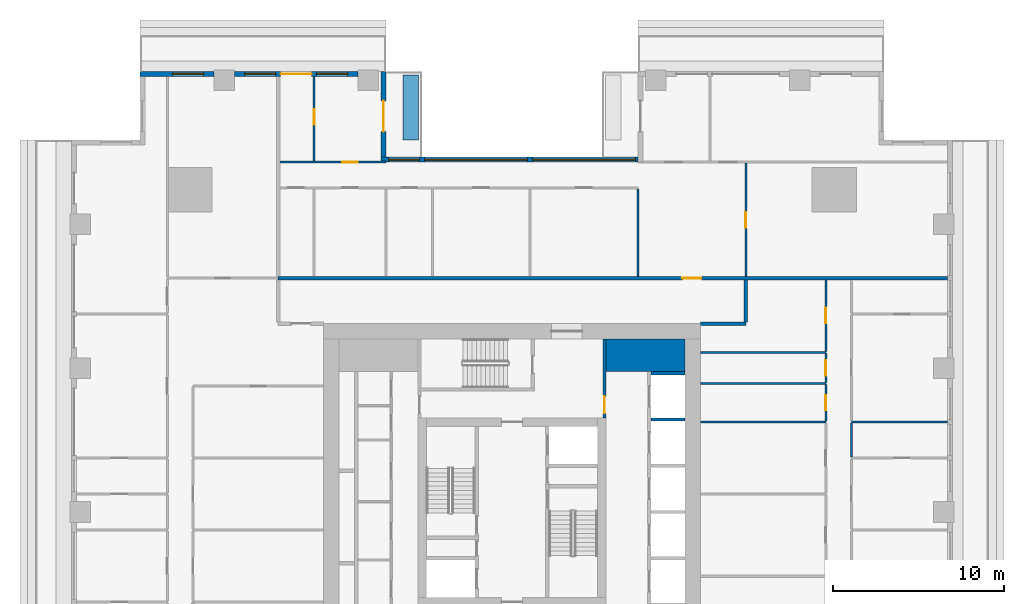
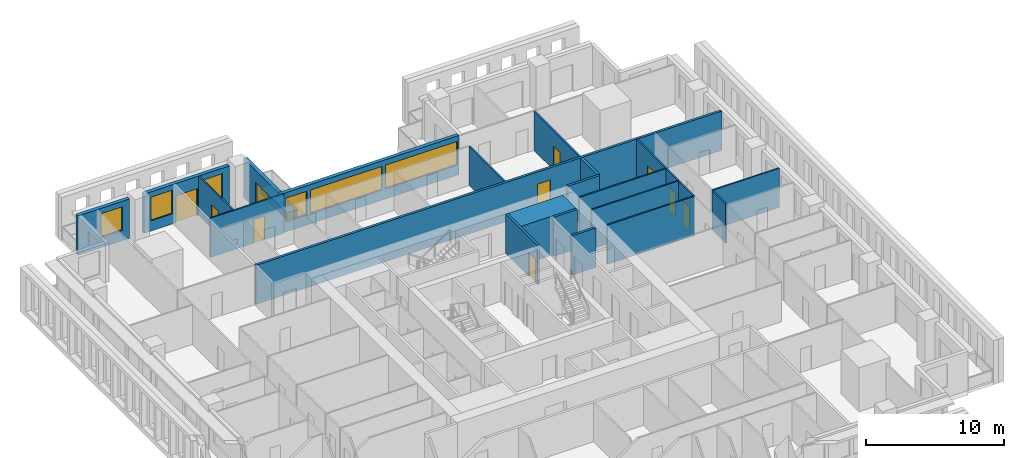
# One storey, part 8 of 16: 24 walls, 10 doors, 6 windows, 16 openings.
"""IFC4 building model written with IfcOpenShell, lengths in metres."""

from ifc_helpers import new_model, si_unit, direction, frame, frame_2d, origin, place, context, subcontext, project, spatial, rectangle, extrude, material, layer, layer_set, type_object, element, fill, save


model = new_model("IFC4")

# Units and contexts
model_context = context("Model", 3, precision=1e-05, world=origin(), true_north=direction((0.0, 1.0)))
body_context = subcontext(model_context, "Body", "Model", "MODEL_VIEW")
ifc_project = project(units=[si_unit("LENGTHUNIT", "METRE"), si_unit("AREAUNIT", "SQUARE_METRE"), si_unit("VOLUMEUNIT", "CUBIC_METRE"), si_unit("PLANEANGLEUNIT", "RADIAN"), si_unit("MASSUNIT", "GRAM", prefix="KILO")], contexts=[model_context])

# Site, building, storey
site_placement = place(None, origin())
site = spatial("IfcSite", under=ifc_project, at=site_placement, CompositionType="ELEMENT")
building_placement = place(site_placement, origin())
building = spatial("IfcBuilding", under=site, at=building_placement, Name="Khepri Terraces", CompositionType="ELEMENT")
storey_placement = place(building_placement, frame((0.0, 0.0, 149.39990234375)))
storey = spatial("IfcBuildingStorey", under=building, at=storey_placement, Name="L35", CompositionType="ELEMENT", Elevation=149.39990234375)

# Walls
ifc_material_1 = material(Name="Concrete C60/75", Category="concrete")
ifc_layer_1 = layer(ifc_material_1, 1.89990234375, Name="Concrete C60/75", Category="concrete")
ifc_layer_set_1 = layer_set([ifc_layer_1], Name="Concrete C60/75")
wall_type_1 = type_object("IfcWallType", Name="Core wall 1900 C60/75", PredefinedType="SHEAR", material=ifc_layer_set_1)
wall_1_placement = place(storey_placement, frame((5.5, 9.14990234375, 0.0), z_axis=(0.0, 0.0, 1.0), x_axis=(1.0, 0.0, 0.0)))
element("IfcWall", 1, at=wall_1_placement, inside=storey, type_object=wall_type_1, Name="Core wall PR04 L35", PredefinedType="SHEAR", context=body_context, shape_type="SweptSolid", body=[
    extrude(rectangle(XDim=4.60009765625, YDim=1.89990234375, at=frame_2d((2.300048828125, 0.0))), origin(), (0.0, 0.0, 1.0), 3.47998046875),
])
ifc_layer_2 = layer(ifc_material_1, 0.199951171875, Name="Concrete C60/75", Category="concrete")
ifc_layer_set_2 = layer_set([ifc_layer_2], Name="Concrete C60/75")
wall_type_2 = type_object("IfcWallType", Name="Core wall 200 C60/75", PredefinedType="SHEAR", material=ifc_layer_set_2)
for number, where, z_axis, x_axis, name in (
    (2, (8.10009765625, 5.39990234375, 0.0), (0.0, 0.0, 1.0), (1.0, 0.0, 0.0), "Core wall SH14 L35"),
    (3, (8.10009765625, 8.10009765625, 0.0), (0.0, 0.0, 1.0), (1.0, 0.0, 0.0), "Core wall SH15 L35"),
):
    element("IfcWall", number, at=place(storey_placement, frame(where, z_axis=z_axis, x_axis=x_axis)), inside=storey, type_object=wall_type_2, Name=name, PredefinedType="SHEAR", context=body_context, shape_type="SweptSolid", body=[
        extrude(rectangle(XDim=2.0, YDim=0.199951171875, at=frame_2d((1.0, 0.0))), origin(), (0.0, 0.0, 1.0), 3.47998046875),
    ])

# Wall, opening, door
ifc_material_2 = material(Name="Fire-rated gypsum board partition")
ifc_layer_3 = layer(ifc_material_2, 0.199951171875, Name="Fire-rated gypsum board partition")
ifc_layer_set_3 = layer_set([ifc_layer_3], Name="Fire-rated gypsum board partition")
wall_type_3 = type_object("IfcWallType", Name="WL-CORE-PART-200", PredefinedType="PARTITIONING", material=ifc_layer_set_3)
wall_2_placement = place(storey_placement, frame((5.39990234375, 5.5, 0.0), z_axis=(0.0, 0.0, 1.0), x_axis=(0.0, 1.0, 0.0)))
wall_2 = element("IfcWall", 4, at=wall_2_placement, inside=storey, type_object=wall_type_3, Name="Core partition PT13 L35", PredefinedType="PARTITIONING", context=body_context, shape_type="SweptSolid", body=[
    extrude(rectangle(XDim=4.60009765625, YDim=0.199951171875, at=frame_2d((2.300048828125, 0.0))), origin(), (0.0, 0.0, 1.0), 3.47998046875),
])
opening_1_placement = place(wall_2_placement, frame((0.25, 0.0, 0.0)))
opening_1 = element("IfcOpeningElement", 5, at=opening_1_placement, cuts=wall_2, Name="Opening L35-C17", PredefinedType="OPENING", context=body_context, shape_type="SweptSolid", body=[
    extrude(rectangle(XDim=1.0, YDim=2.10009765625, at=frame_2d((0.5, 1.050048828125))), frame((0.0, 0.10986328125, 0.0), z_axis=(0.0, -1.0, 0.0), x_axis=(1.0, 0.0, 0.0)), (0.0, 0.0, 1.0), 0.219970703125),
])
ifc_material_3 = material(Name="Painted steel", Category="steel")
door_type_1 = type_object("IfcDoorType", Name="DR-CORE-LOBBY-1000", OperationType="NOTDEFINED", PredefinedType="DOOR", material=ifc_material_3)
door_1_placement = place(opening_1_placement, origin())
door_1 = element("IfcDoor", 6, at=door_1_placement, inside=storey, type_object=door_type_1, Name="Lobby door L35-C17", OperationType="SINGLE_SWING_LEFT", OverallHeight=2.10009765625, OverallWidth=1.0, PredefinedType="DOOR", context=body_context, shape_type="SweptSolid", body=[
    extrude(rectangle(XDim=1.0, YDim=2.10009765625, at=frame_2d((0.5, 1.050048828125))), frame((0.0, 0.02490234375, 0.0), z_axis=(0.0, -1.0, 0.0), x_axis=(1.0, 0.0, 0.0)), (0.0, 0.0, 1.0), 0.050048828125),
])
fill(opening_1, door_1)

# Walls
ifc_material_4 = material(Name="Fire-rated gypsum plasterboard partition, mineral wool")
ifc_layer_4 = layer(ifc_material_4, 0.199951171875, Name="Fire-rated gypsum plasterboard partition, mineral wool")
ifc_layer_set_4 = layer_set([ifc_layer_4], Name="Fire-rated gypsum plasterboard partition, mineral wool")
wall_type_4 = type_object("IfcWallType", Name="WL-CORR-200", PredefinedType="PARTITIONING", material=ifc_layer_set_4)
wall_3_placement = place(storey_placement, frame((11.0, 11.0, 0.0), z_axis=(0.0, 0.0, 1.0), x_axis=(1.0, 0.0, 0.0)))
element("IfcWall", 7, at=wall_3_placement, inside=storey, type_object=wall_type_4, Name="Partition P-076 L35", PredefinedType="PARTITIONING", context=body_context, shape_type="SweptSolid", body=[
    extrude(rectangle(XDim=2.64990234375, YDim=0.199951171875, at=frame_2d((1.324951171875, 0.0))), origin(), (0.0, 0.0, 1.0), 3.47998046875),
])
wall_4_placement = place(storey_placement, frame((13.64990234375, 11.10009765625, 0.0), z_axis=(0.0, 0.0, 1.0), x_axis=(0.0, 1.0, 0.0)))
element("IfcWall", 8, at=wall_4_placement, inside=storey, type_object=wall_type_4, Name="Partition P-078 L35", PredefinedType="PARTITIONING", context=body_context, shape_type="SweptSolid", body=[
    extrude(rectangle(XDim=2.449951171875, YDim=0.199951171875, at=frame_2d((1.22509765625, 0.0))), origin(), (0.0, 0.0, 1.0), 3.47998046875),
])

# Wall, opening, door
wall_5_placement = place(storey_placement, frame((-13.64990234375, 13.64990234375, 0.0), z_axis=(0.0, 0.0, 1.0), x_axis=(1.0, 0.0, 0.0)))
wall_5 = element("IfcWall", 9, at=wall_5_placement, inside=storey, type_object=wall_type_4, Name="Partition P-084 L35", PredefinedType="PARTITIONING", context=body_context, shape_type="SweptSolid", body=[
    extrude(rectangle(XDim=39.06982421875, YDim=0.199951171875, at=frame_2d((19.534912109375, 0.0))), origin(), (0.0, 0.0, 1.0), 3.47998046875),
])
opening_2_placement = place(wall_5_placement, frame((23.60009765625, 0.0, 0.0)))
opening_2 = element("IfcOpeningElement", 10, at=opening_2_placement, cuts=wall_5, Name="Opening D1", PredefinedType="OPENING", context=body_context, shape_type="SweptSolid", body=[
    extrude(rectangle(XDim=1.10009765625, YDim=2.39990234375, at=frame_2d((0.550048828125, 1.199951171875))), frame((0.0, 0.10986328125, 0.0), z_axis=(0.0, -1.0, 0.0), x_axis=(1.0, 0.0, 0.0)), (0.0, 0.0, 1.0), 0.219970703125),
])
ifc_material_5 = material(Name="Solid-core timber door leaf, flat entrance door", Category="wood")
door_type_2 = type_object("IfcDoorType", Name="DR-ENT-1100", OperationType="NOTDEFINED", PredefinedType="DOOR", material=ifc_material_5)
door_2_placement = place(opening_2_placement, origin())
door_2 = element("IfcDoor", 11, at=door_2_placement, inside=storey, type_object=door_type_2, Name="Flat C1 entrance door", OperationType="SINGLE_SWING_RIGHT", OverallHeight=2.39990234375, OverallWidth=1.10009765625, PredefinedType="DOOR", context=body_context, shape_type="SweptSolid", body=[
    extrude(rectangle(XDim=1.10009765625, YDim=2.39990234375, at=frame_2d((0.550048828125, 1.199951171875))), frame((0.0, 0.02490234375, 0.0), z_axis=(0.0, -1.0, 0.0), x_axis=(1.0, 0.0, 0.0)), (0.0, 0.0, 1.0), 0.050048828125),
])
fill(opening_2, door_2)

# Wall, openings, windows
ifc_material_6 = material(Name="Precast concrete C50/60 warm stone", Category="masonry")
ifc_layer_5 = layer(ifc_material_6, 0.300048828125, Name="Precast concrete C50/60 warm stone", Category="masonry")
ifc_layer_set_5 = layer_set([ifc_layer_5], Name="Precast concrete C50/60 warm stone")
wall_type_5 = type_object("IfcWallType", Name="WL-EXT-PRECAST-300", PredefinedType="STANDARD", material=ifc_layer_set_5)
wall_6_placement = place(storey_placement, frame((7.35009765625, 20.570068359375, 0.0), z_axis=(0.0, 0.0, 1.0), x_axis=(-1.0, 0.0, 0.0)))
wall_6 = element("IfcWall", 12, at=wall_6_placement, inside=storey, type_object=wall_type_5, Name="External wall L35 N", PredefinedType="STANDARD", context=body_context, shape_type="SweptSolid", body=[
    extrude(rectangle(XDim=15.0, YDim=0.300048828125, at=frame_2d((7.5, 0.0))), origin(), (0.0, 0.0, 1.0), 3.47998046875),
])
opening_3_placement = place(wall_6_placement, frame((0.14990234375, 0.0, 0.89990234375)))
opening_3 = element("IfcOpeningElement", 13, at=opening_3_placement, cuts=wall_6, Name="Opening W3", PredefinedType="OPENING", context=body_context, shape_type="SweptSolid", body=[
    extrude(rectangle(XDim=6.0, YDim=2.10009765625, at=frame_2d((3.0, 1.050048828125))), frame((0.0, 0.16015625, 0.0), z_axis=(0.0, -1.0, 0.0), x_axis=(1.0, 0.0, 0.0)), (0.0, 0.0, 1.0), 0.320068359375),
])
opening_4_placement = place(wall_6_placement, frame((6.449951171875, 0.0, 0.89990234375)))
opening_4 = element("IfcOpeningElement", 14, at=opening_4_placement, cuts=wall_6, Name="Opening W3", PredefinedType="OPENING", context=body_context, shape_type="SweptSolid", body=[
    extrude(rectangle(XDim=6.0, YDim=2.10009765625, at=frame_2d((3.0, 1.050048828125))), frame((0.0, 0.16015625, 0.0), z_axis=(0.0, -1.0, 0.0), x_axis=(1.0, 0.0, 0.0)), (0.0, 0.0, 1.0), 0.320068359375),
])
opening_5_placement = place(wall_6_placement, frame((12.75, 0.0, 0.89990234375)))
opening_5 = element("IfcOpeningElement", 15, at=opening_5_placement, cuts=wall_6, Name="Opening W1", PredefinedType="OPENING", context=body_context, shape_type="SweptSolid", body=[
    extrude(rectangle(XDim=1.800048828125, YDim=2.10009765625, at=frame_2d((0.89990234375, 1.050048828125))), frame((0.0, 0.16015625, 0.0), z_axis=(0.0, -1.0, 0.0), x_axis=(1.0, 0.0, 0.0)), (0.0, 0.0, 1.0), 0.320068359375),
])
ifc_material_7 = material(Name="Clear glass", Category="glass")
window_type_1 = type_object("IfcWindowType", Name="WIN-RES-1800x2100", PartitioningType="SINGLE_PANEL", PredefinedType="WINDOW", material=ifc_material_7)
window_1_placement = place(opening_5_placement, origin())
window_1 = element("IfcWindow", 16, at=window_1_placement, inside=storey, type_object=window_type_1, Name="Window L35 N", OverallHeight=2.10009765625, OverallWidth=1.800048828125, PartitioningType="SINGLE_PANEL", PredefinedType="WINDOW", context=body_context, shape_type="SweptSolid", body=[
    extrude(rectangle(XDim=1.800048828125, YDim=2.10009765625, at=frame_2d((0.89990234375, 1.050048828125))), frame((0.0, 0.030029296875, 0.0), z_axis=(0.0, -1.0, 0.0), x_axis=(1.0, 0.0, 0.0)), (0.0, 0.0, 1.0), 0.06005859375),
])
fill(opening_5, window_1)
window_type_2 = type_object("IfcWindowType", Name="WIN-RES-6000x2100", PartitioningType="SINGLE_PANEL", PredefinedType="WINDOW", material=ifc_material_7)
window_2_placement = place(opening_3_placement, origin())
window_2 = element("IfcWindow", 17, at=window_2_placement, inside=storey, type_object=window_type_2, Name="Window L35 N", OverallHeight=2.10009765625, OverallWidth=6.0, PartitioningType="SINGLE_PANEL", PredefinedType="WINDOW", context=body_context, shape_type="SweptSolid", body=[
    extrude(rectangle(XDim=6.0, YDim=2.10009765625, at=frame_2d((3.0, 1.050048828125))), frame((0.0, 0.030029296875, 0.0), z_axis=(0.0, -1.0, 0.0), x_axis=(1.0, 0.0, 0.0)), (0.0, 0.0, 1.0), 0.06005859375),
])
fill(opening_3, window_2)
window_3_placement = place(opening_4_placement, origin())
window_3 = element("IfcWindow", 18, at=window_3_placement, inside=storey, type_object=window_type_2, Name="Window L35 N", OverallHeight=2.10009765625, OverallWidth=6.0, PartitioningType="SINGLE_PANEL", PredefinedType="WINDOW", context=body_context, shape_type="SweptSolid", body=[
    extrude(rectangle(XDim=6.0, YDim=2.10009765625, at=frame_2d((3.0, 1.050048828125))), frame((0.0, 0.030029296875, 0.0), z_axis=(0.0, -1.0, 0.0), x_axis=(1.0, 0.0, 0.0)), (0.0, 0.0, 1.0), 0.06005859375),
])
fill(opening_4, window_3)

# Wall, opening, door
wall_7_placement = place(storey_placement, frame((-7.5, 20.719970703125, 0.0), z_axis=(0.0, 0.0, 1.0), x_axis=(0.0, 1.0, 0.0)))
wall_7 = element("IfcWall", 19, at=wall_7_placement, inside=storey, type_object=wall_type_5, Name="External wall L35 E", PredefinedType="STANDARD", context=body_context, shape_type="SweptSolid", body=[
    extrude(rectangle(XDim=5.0, YDim=0.300048828125, at=frame_2d((2.5, 0.0))), origin(), (0.0, 0.0, 1.0), 3.47998046875),
])
opening_6_placement = place(wall_7_placement, frame((1.47998046875, 0.0, 0.0)))
opening_6 = element("IfcOpeningElement", 20, at=opening_6_placement, cuts=wall_7, Name="Opening ED-L35-09", PredefinedType="OPENING", context=body_context, shape_type="SweptSolid", body=[
    extrude(rectangle(XDim=1.800048828125, YDim=2.39990234375, at=frame_2d((0.89990234375, 1.199951171875))), frame((0.0, 0.16015625, 0.0), z_axis=(0.0, -1.0, 0.0), x_axis=(1.0, 0.0, 0.0)), (0.0, 0.0, 1.0), 0.320068359375),
])
ifc_material_8 = material(Name="Anodised aluminium bronze glazed door", Category="aluminium")
door_type_3 = type_object("IfcDoorType", Name="DR-BAL-SLIDE-1800x2400", OperationType="NOTDEFINED", PredefinedType="DOOR", material=ifc_material_8)
door_3_placement = place(opening_6_placement, origin())
door_3 = element("IfcDoor", 21, at=door_3_placement, inside=storey, type_object=door_type_3, Name="Balcony door L35 E", OperationType="SLIDING_TO_RIGHT", OverallHeight=2.39990234375, OverallWidth=1.800048828125, PredefinedType="DOOR", context=body_context, shape_type="SweptSolid", body=[
    extrude(rectangle(XDim=1.800048828125, YDim=2.39990234375, at=frame_2d((0.89990234375, 1.199951171875))), frame((0.0, 0.02490234375, 0.0), z_axis=(0.0, -1.0, 0.0), x_axis=(1.0, 0.0, 0.0)), (0.0, 0.0, 1.0), 0.050048828125),
])
fill(opening_6, door_3)

# Wall, openings, door, windows
wall_8_placement = place(storey_placement, frame((-9.0, 25.570068359375, 0.0), z_axis=(0.0, 0.0, 1.0), x_axis=(-1.0, 0.0, 0.0)))
wall_8 = element("IfcWall", 22, at=wall_8_placement, inside=storey, type_object=wall_type_5, Name="External wall L35 N", PredefinedType="STANDARD", context=body_context, shape_type="SweptSolid", body=[
    extrude(rectangle(XDim=7.199951171875, YDim=0.300048828125, at=frame_2d((3.60009765625, 0.0))), origin(), (0.0, 0.0, 1.0), 3.47998046875),
])
opening_7_placement = place(wall_8_placement, frame((0.60009765625, 0.0, 0.89990234375)))
opening_7 = element("IfcOpeningElement", 23, at=opening_7_placement, cuts=wall_8, Name="Opening W1", PredefinedType="OPENING", context=body_context, shape_type="SweptSolid", body=[
    extrude(rectangle(XDim=1.800048828125, YDim=2.10009765625, at=frame_2d((0.89990234375, 1.050048828125))), frame((0.0, 0.16015625, 0.0), z_axis=(0.0, -1.0, 0.0), x_axis=(1.0, 0.0, 0.0)), (0.0, 0.0, 1.0), 0.320068359375),
])
opening_8_placement = place(wall_8_placement, frame((2.699951171875, 0.0, 0.0)))
opening_8 = element("IfcOpeningElement", 24, at=opening_8_placement, cuts=wall_8, Name="Opening ED-L35-10", PredefinedType="OPENING", context=body_context, shape_type="SweptSolid", body=[
    extrude(rectangle(XDim=1.800048828125, YDim=2.39990234375, at=frame_2d((0.89990234375, 1.199951171875))), frame((0.0, 0.16015625, 0.0), z_axis=(0.0, -1.0, 0.0), x_axis=(1.0, 0.0, 0.0)), (0.0, 0.0, 1.0), 0.320068359375),
])
opening_9_placement = place(wall_8_placement, frame((4.800048828125, 0.0, 0.89990234375)))
opening_9 = element("IfcOpeningElement", 25, at=opening_9_placement, cuts=wall_8, Name="Opening W1", PredefinedType="OPENING", context=body_context, shape_type="SweptSolid", body=[
    extrude(rectangle(XDim=1.800048828125, YDim=2.10009765625, at=frame_2d((0.89990234375, 1.050048828125))), frame((0.0, 0.16015625, 0.0), z_axis=(0.0, -1.0, 0.0), x_axis=(1.0, 0.0, 0.0)), (0.0, 0.0, 1.0), 0.320068359375),
])
door_4_placement = place(opening_8_placement, origin())
door_4 = element("IfcDoor", 26, at=door_4_placement, inside=storey, type_object=door_type_3, Name="Balcony door L35 N", OperationType="SLIDING_TO_RIGHT", OverallHeight=2.39990234375, OverallWidth=1.800048828125, PredefinedType="DOOR", context=body_context, shape_type="SweptSolid", body=[
    extrude(rectangle(XDim=1.800048828125, YDim=2.39990234375, at=frame_2d((0.89990234375, 1.199951171875))), frame((0.0, 0.02490234375, 0.0), z_axis=(0.0, -1.0, 0.0), x_axis=(1.0, 0.0, 0.0)), (0.0, 0.0, 1.0), 0.050048828125),
])
fill(opening_8, door_4)
window_4_placement = place(opening_7_placement, origin())
window_4 = element("IfcWindow", 27, at=window_4_placement, inside=storey, type_object=window_type_1, Name="Window L35 N", OverallHeight=2.10009765625, OverallWidth=1.800048828125, PartitioningType="SINGLE_PANEL", PredefinedType="WINDOW", context=body_context, shape_type="SweptSolid", body=[
    extrude(rectangle(XDim=1.800048828125, YDim=2.10009765625, at=frame_2d((0.89990234375, 1.050048828125))), frame((0.0, 0.030029296875, 0.0), z_axis=(0.0, -1.0, 0.0), x_axis=(1.0, 0.0, 0.0)), (0.0, 0.0, 1.0), 0.06005859375),
])
fill(opening_7, window_4)
window_5_placement = place(opening_9_placement, origin())
window_5 = element("IfcWindow", 28, at=window_5_placement, inside=storey, type_object=window_type_1, Name="Window L35 N", OverallHeight=2.10009765625, OverallWidth=1.800048828125, PartitioningType="SINGLE_PANEL", PredefinedType="WINDOW", context=body_context, shape_type="SweptSolid", body=[
    extrude(rectangle(XDim=1.800048828125, YDim=2.10009765625, at=frame_2d((0.89990234375, 1.050048828125))), frame((0.0, 0.030029296875, 0.0), z_axis=(0.0, -1.0, 0.0), x_axis=(1.0, 0.0, 0.0)), (0.0, 0.0, 1.0), 0.06005859375),
])
fill(opening_9, window_5)

# Wall, opening, window
wall_9_placement = place(storey_placement, frame((-17.39990234375, 25.570068359375, 0.0), z_axis=(0.0, 0.0, 1.0), x_axis=(-1.0, 0.0, 0.0)))
wall_9 = element("IfcWall", 29, at=wall_9_placement, inside=storey, type_object=wall_type_5, Name="External wall L35 N", PredefinedType="STANDARD", context=body_context, shape_type="SweptSolid", body=[
    extrude(rectangle(XDim=4.320068359375, YDim=0.300048828125, at=frame_2d((2.16015625, 0.0))), origin(), (0.0, 0.0, 1.0), 3.47998046875),
])
opening_10_placement = place(wall_9_placement, frame((0.60009765625, 0.0, 0.89990234375)))
opening_10 = element("IfcOpeningElement", 30, at=opening_10_placement, cuts=wall_9, Name="Opening W1", PredefinedType="OPENING", context=body_context, shape_type="SweptSolid", body=[
    extrude(rectangle(XDim=1.800048828125, YDim=2.10009765625, at=frame_2d((0.89990234375, 1.050048828125))), frame((0.0, 0.16015625, 0.0), z_axis=(0.0, -1.0, 0.0), x_axis=(1.0, 0.0, 0.0)), (0.0, 0.0, 1.0), 0.320068359375),
])
window_6_placement = place(opening_10_placement, origin())
window_6 = element("IfcWindow", 31, at=window_6_placement, inside=storey, type_object=window_type_1, Name="Window L35 N", OverallHeight=2.10009765625, OverallWidth=1.800048828125, PartitioningType="SINGLE_PANEL", PredefinedType="WINDOW", context=body_context, shape_type="SweptSolid", body=[
    extrude(rectangle(XDim=1.800048828125, YDim=2.10009765625, at=frame_2d((0.89990234375, 1.050048828125))), frame((0.0, 0.030029296875, 0.0), z_axis=(0.0, -1.0, 0.0), x_axis=(1.0, 0.0, 0.0)), (0.0, 0.0, 1.0), 0.06005859375),
])
fill(opening_10, window_6)

# Walls
ifc_material_9 = material(Name="Gypsum plasterboard partition")
ifc_layer_6 = layer(ifc_material_9, 0.1201171875, Name="Gypsum plasterboard partition")
ifc_layer_set_6 = layer_set([ifc_layer_6], Name="Gypsum plasterboard partition")
wall_type_6 = type_object("IfcWallType", Name="WL-PART-120", PredefinedType="PARTITIONING", material=ifc_layer_set_6)
wall_10_placement = place(storey_placement, frame((19.820068359375, 3.2099609375, 0.0), z_axis=(0.0, 0.0, 1.0), x_axis=(0.0, 1.0, 0.0)))
element("IfcWall", 32, at=wall_10_placement, inside=storey, type_object=wall_type_6, Name="Partition P-065 L35", PredefinedType="PARTITIONING", context=body_context, shape_type="SweptSolid", body=[
    extrude(rectangle(XDim=1.97998046875, YDim=0.1201171875, at=frame_2d((0.989990234375, 0.0))), origin(), (0.0, 0.0, 1.0), 3.47998046875),
])
wall_11_placement = place(storey_placement, frame((11.0, 5.25, 0.0), z_axis=(0.0, 0.0, 1.0), x_axis=(1.0, 0.0, 0.0)))
element("IfcWall", 33, at=wall_11_placement, inside=storey, type_object=wall_type_6, Name="Partition P-066 L35", PredefinedType="PARTITIONING", context=body_context, shape_type="SweptSolid", body=[
    extrude(rectangle(XDim=7.320068359375, YDim=0.1201171875, at=frame_2d((3.66015625, 0.0))), origin(), (0.0, 0.0, 1.0), 3.47998046875),
])
wall_12_placement = place(storey_placement, frame((19.820068359375, 5.25, 0.0), z_axis=(0.0, 0.0, 1.0), x_axis=(1.0, 0.0, 0.0)))
element("IfcWall", 34, at=wall_12_placement, inside=storey, type_object=wall_type_6, Name="Partition P-067 L35", PredefinedType="PARTITIONING", context=body_context, shape_type="SweptSolid", body=[
    extrude(rectangle(XDim=5.599853515625, YDim=0.1201171875, at=frame_2d((2.7998046875, 0.0))), origin(), (0.0, 0.0, 1.0), 3.47998046875),
])

# Wall, opening, door
wall_13_placement = place(storey_placement, frame((18.320068359375, 5.31005859375, 0.0), z_axis=(0.0, 0.0, 1.0), x_axis=(0.0, 1.0, 0.0)))
wall_13 = element("IfcWall", 35, at=wall_13_placement, inside=storey, type_object=wall_type_6, Name="Partition P-068 L35", PredefinedType="PARTITIONING", context=body_context, shape_type="SweptSolid", body=[
    extrude(rectangle(XDim=2.1298828125, YDim=0.1201171875, at=frame_2d((1.06494140625, 0.0))), origin(), (0.0, 0.0, 1.0), 3.47998046875),
])
opening_11_placement = place(wall_13_placement, frame((0.614990234375, 0.0, 0.0)))
opening_11 = element("IfcOpeningElement", 36, at=opening_11_placement, cuts=wall_13, Name="Opening D4", PredefinedType="OPENING", context=body_context, shape_type="SweptSolid", body=[
    extrude(rectangle(XDim=0.89990234375, YDim=2.10009765625, at=frame_2d((0.449951171875, 1.050048828125))), frame((0.0, 0.070068359375, 0.0), z_axis=(0.0, -1.0, 0.0), x_axis=(1.0, 0.0, 0.0)), (0.0, 0.0, 1.0), 0.14013671875),
])
ifc_material_10 = material(Name="Timber door leaf, moisture resistant", Category="wood")
door_type_4 = type_object("IfcDoorType", Name="DR-WET-900", OperationType="NOTDEFINED", PredefinedType="DOOR", material=ifc_material_10)
door_5_placement = place(opening_11_placement, origin())
door_5 = element("IfcDoor", 37, at=door_5_placement, inside=storey, type_object=door_type_4, Name="Door Powder Room", OperationType="SINGLE_SWING_RIGHT", OverallHeight=2.10009765625, OverallWidth=0.89990234375, PredefinedType="DOOR", context=body_context, shape_type="SweptSolid", body=[
    extrude(rectangle(XDim=0.89990234375, YDim=2.10009765625, at=frame_2d((0.449951171875, 1.050048828125))), frame((0.0, 0.02490234375, 0.0), z_axis=(0.0, -1.0, 0.0), x_axis=(1.0, 0.0, 0.0)), (0.0, 0.0, 1.0), 0.050048828125),
])
fill(opening_11, door_5)

# Wall
wall_14_placement = place(storey_placement, frame((11.0, 7.5, 0.0), z_axis=(0.0, 0.0, 1.0), x_axis=(1.0, 0.0, 0.0)))
element("IfcWall", 38, at=wall_14_placement, inside=storey, type_object=wall_type_6, Name="Partition P-071 L35", PredefinedType="PARTITIONING", context=body_context, shape_type="SweptSolid", body=[
    extrude(rectangle(XDim=7.320068359375, YDim=0.1201171875, at=frame_2d((3.66015625, 0.0))), origin(), (0.0, 0.0, 1.0), 3.47998046875),
])

# Wall, opening, door
wall_15_placement = place(storey_placement, frame((18.320068359375, 7.56005859375, 0.0), z_axis=(0.0, 0.0, 1.0), x_axis=(0.0, 1.0, 0.0)))
wall_15 = element("IfcWall", 39, at=wall_15_placement, inside=storey, type_object=wall_type_6, Name="Partition P-072 L35", PredefinedType="PARTITIONING", context=body_context, shape_type="SweptSolid", body=[
    extrude(rectangle(XDim=1.679931640625, YDim=0.1201171875, at=frame_2d((0.83984375, 0.0))), origin(), (0.0, 0.0, 1.0), 3.47998046875),
])
opening_12_placement = place(wall_15_placement, frame((0.389892578125, 0.0, 0.0)))
opening_12 = element("IfcOpeningElement", 40, at=opening_12_placement, cuts=wall_15, Name="Opening D4", PredefinedType="OPENING", context=body_context, shape_type="SweptSolid", body=[
    extrude(rectangle(XDim=0.89990234375, YDim=2.10009765625, at=frame_2d((0.449951171875, 1.050048828125))), frame((0.0, 0.070068359375, 0.0), z_axis=(0.0, -1.0, 0.0), x_axis=(1.0, 0.0, 0.0)), (0.0, 0.0, 1.0), 0.14013671875),
])
door_6_placement = place(opening_12_placement, origin())
door_6 = element("IfcDoor", 41, at=door_6_placement, inside=storey, type_object=door_type_4, Name="Door Guest Bathroom", OperationType="SINGLE_SWING_RIGHT", OverallHeight=2.10009765625, OverallWidth=0.89990234375, PredefinedType="DOOR", context=body_context, shape_type="SweptSolid", body=[
    extrude(rectangle(XDim=0.89990234375, YDim=2.10009765625, at=frame_2d((0.449951171875, 1.050048828125))), frame((0.0, 0.02490234375, 0.0), z_axis=(0.0, -1.0, 0.0), x_axis=(1.0, 0.0, 0.0)), (0.0, 0.0, 1.0), 0.050048828125),
])
fill(opening_12, door_6)

# Wall
wall_16_placement = place(storey_placement, frame((11.0, 9.300048828125, 0.0), z_axis=(0.0, 0.0, 1.0), x_axis=(1.0, 0.0, 0.0)))
element("IfcWall", 42, at=wall_16_placement, inside=storey, type_object=wall_type_6, Name="Partition P-073 L35", PredefinedType="PARTITIONING", context=body_context, shape_type="SweptSolid", body=[
    extrude(rectangle(XDim=7.320068359375, YDim=0.1201171875, at=frame_2d((3.66015625, 0.0))), origin(), (0.0, 0.0, 1.0), 3.47998046875),
])

# Wall, opening, door
wall_17_placement = place(storey_placement, frame((18.320068359375, 9.360107421875, 0.0), z_axis=(0.0, 0.0, 1.0), x_axis=(0.0, 1.0, 0.0)))
wall_17 = element("IfcWall", 43, at=wall_17_placement, inside=storey, type_object=wall_type_6, Name="Partition P-074 L35", PredefinedType="PARTITIONING", context=body_context, shape_type="SweptSolid", body=[
    extrude(rectangle(XDim=4.18994140625, YDim=0.1201171875, at=frame_2d((2.094970703125, 0.0))), origin(), (0.0, 0.0, 1.0), 3.47998046875),
])
opening_13_placement = place(wall_17_placement, frame((1.6650390625, 0.0, 0.0)))
opening_13 = element("IfcOpeningElement", 44, at=opening_13_placement, cuts=wall_17, Name="Opening D3", PredefinedType="OPENING", context=body_context, shape_type="SweptSolid", body=[
    extrude(rectangle(XDim=0.89990234375, YDim=2.10009765625, at=frame_2d((0.449951171875, 1.050048828125))), frame((0.0, 0.070068359375, 0.0), z_axis=(0.0, -1.0, 0.0), x_axis=(1.0, 0.0, 0.0)), (0.0, 0.0, 1.0), 0.14013671875),
])
ifc_material_11 = material(Name="Timber door leaf", Category="wood")
door_type_5 = type_object("IfcDoorType", Name="DR-INT-900", OperationType="NOTDEFINED", PredefinedType="DOOR", material=ifc_material_11)
door_7_placement = place(opening_13_placement, origin())
door_7 = element("IfcDoor", 45, at=door_7_placement, inside=storey, type_object=door_type_5, Name="Door Library", OperationType="SINGLE_SWING_RIGHT", OverallHeight=2.10009765625, OverallWidth=0.89990234375, PredefinedType="DOOR", context=body_context, shape_type="SweptSolid", body=[
    extrude(rectangle(XDim=0.89990234375, YDim=2.10009765625, at=frame_2d((0.449951171875, 1.050048828125))), frame((0.0, 0.02490234375, 0.0), z_axis=(0.0, -1.0, 0.0), x_axis=(1.0, 0.0, 0.0)), (0.0, 0.0, 1.0), 0.050048828125),
])
fill(opening_13, door_7)

# Wall
wall_18_placement = place(storey_placement, frame((7.35009765625, 13.75, 0.0), z_axis=(0.0, 0.0, 1.0), x_axis=(0.0, 1.0, 0.0)))
element("IfcWall", 46, at=wall_18_placement, inside=storey, type_object=wall_type_6, Name="Partition P-091 L35", PredefinedType="PARTITIONING", context=body_context, shape_type="SweptSolid", body=[
    extrude(rectangle(XDim=5.110107421875, YDim=0.1201171875, at=frame_2d((2.55517578125, 0.0))), origin(), (0.0, 0.0, 1.0), 3.47998046875),
])

# Wall, opening, door
wall_19_placement = place(storey_placement, frame((13.64990234375, 13.75, 0.0), z_axis=(0.0, 0.0, 1.0), x_axis=(0.0, 1.0, 0.0)))
wall_19 = element("IfcWall", 47, at=wall_19_placement, inside=storey, type_object=wall_type_6, Name="Partition P-092 L35", PredefinedType="PARTITIONING", context=body_context, shape_type="SweptSolid", body=[
    extrude(rectangle(XDim=6.610107421875, YDim=0.1201171875, at=frame_2d((3.30517578125, 0.0))), origin(), (0.0, 0.0, 1.0), 3.47998046875),
])
opening_14_placement = place(wall_19_placement, frame((2.8349609375, 0.0, 0.0)))
opening_14 = element("IfcOpeningElement", 48, at=opening_14_placement, cuts=wall_19, Name="Opening D3", PredefinedType="OPENING", context=body_context, shape_type="SweptSolid", body=[
    extrude(rectangle(XDim=0.89990234375, YDim=2.10009765625, at=frame_2d((0.449951171875, 1.050048828125))), frame((0.0, 0.070068359375, 0.0), z_axis=(0.0, -1.0, 0.0), x_axis=(1.0, 0.0, 0.0)), (0.0, 0.0, 1.0), 0.14013671875),
])
door_8_placement = place(opening_14_placement, frame((0.89990234375, 0.0, 0.0), z_axis=(0.0, 0.0, 1.0), x_axis=(-1.0, 0.0, 0.0)))
door_8 = element("IfcDoor", 49, at=door_8_placement, inside=storey, type_object=door_type_5, Name="Door Home Cinema", OperationType="SINGLE_SWING_RIGHT", OverallHeight=2.10009765625, OverallWidth=0.89990234375, PredefinedType="DOOR", context=body_context, shape_type="SweptSolid", body=[
    extrude(rectangle(XDim=0.89990234375, YDim=2.10009765625, at=frame_2d((0.449951171875, 1.050048828125))), frame((0.0, 0.02490234375, 0.0), z_axis=(0.0, -1.0, 0.0), x_axis=(1.0, 0.0, 0.0)), (0.0, 0.0, 1.0), 0.050048828125),
])
fill(opening_14, door_8)

wall_20_placement = place(storey_placement, frame((-13.550048828125, 20.419921875, 0.0), z_axis=(0.0, 0.0, 1.0), x_axis=(1.0, 0.0, 0.0)))
wall_20 = element("IfcWall", 50, at=wall_20_placement, inside=storey, type_object=wall_type_6, Name="Partition P-094 L35", PredefinedType="PARTITIONING", context=body_context, shape_type="SweptSolid", body=[
    extrude(rectangle(XDim=6.199951171875, YDim=0.1201171875, at=frame_2d((3.10009765625, 0.0))), origin(), (0.0, 0.0, 1.0), 3.47998046875),
])
opening_15_placement = place(wall_20_placement, frame((3.64990234375, 0.0, 0.0)))
opening_15 = element("IfcOpeningElement", 51, at=opening_15_placement, cuts=wall_20, Name="Opening D3", PredefinedType="OPENING", context=body_context, shape_type="SweptSolid", body=[
    extrude(rectangle(XDim=0.89990234375, YDim=2.10009765625, at=frame_2d((0.449951171875, 1.050048828125))), frame((0.0, 0.070068359375, 0.0), z_axis=(0.0, -1.0, 0.0), x_axis=(1.0, 0.0, 0.0)), (0.0, 0.0, 1.0), 0.14013671875),
])
door_9_placement = place(opening_15_placement, origin())
door_9 = element("IfcDoor", 52, at=door_9_placement, inside=storey, type_object=door_type_5, Name="Door Bedroom", OperationType="SINGLE_SWING_RIGHT", OverallHeight=2.10009765625, OverallWidth=0.89990234375, PredefinedType="DOOR", context=body_context, shape_type="SweptSolid", body=[
    extrude(rectangle(XDim=0.89990234375, YDim=2.10009765625, at=frame_2d((0.449951171875, 1.050048828125))), frame((0.0, 0.02490234375, 0.0), z_axis=(0.0, -1.0, 0.0), x_axis=(1.0, 0.0, 0.0)), (0.0, 0.0, 1.0), 0.050048828125),
])
fill(opening_15, door_9)

wall_21_placement = place(storey_placement, frame((-11.550048828125, 20.47998046875, 0.0), z_axis=(0.0, 0.0, 1.0), x_axis=(0.0, 1.0, 0.0)))
wall_21 = element("IfcWall", 53, at=wall_21_placement, inside=storey, type_object=wall_type_6, Name="Partition P-096 L35", PredefinedType="PARTITIONING", context=body_context, shape_type="SweptSolid", body=[
    extrude(rectangle(XDim=4.93994140625, YDim=0.1201171875, at=frame_2d((2.469970703125, 0.0))), origin(), (0.0, 0.0, 1.0), 3.47998046875),
])
opening_16_placement = place(wall_21_placement, frame((2.139892578125, 0.0, 0.0)))
opening_16 = element("IfcOpeningElement", 54, at=opening_16_placement, cuts=wall_21, Name="Opening D4", PredefinedType="OPENING", context=body_context, shape_type="SweptSolid", body=[
    extrude(rectangle(XDim=0.89990234375, YDim=2.10009765625, at=frame_2d((0.449951171875, 1.050048828125))), frame((0.0, 0.070068359375, 0.0), z_axis=(0.0, -1.0, 0.0), x_axis=(1.0, 0.0, 0.0)), (0.0, 0.0, 1.0), 0.14013671875),
])
door_10_placement = place(opening_16_placement, origin())
door_10 = element("IfcDoor", 55, at=door_10_placement, inside=storey, type_object=door_type_4, Name="Door Bathroom", OperationType="SINGLE_SWING_RIGHT", OverallHeight=2.10009765625, OverallWidth=0.89990234375, PredefinedType="DOOR", context=body_context, shape_type="SweptSolid", body=[
    extrude(rectangle(XDim=0.89990234375, YDim=2.10009765625, at=frame_2d((0.449951171875, 1.050048828125))), frame((0.0, 0.02490234375, 0.0), z_axis=(0.0, -1.0, 0.0), x_axis=(1.0, 0.0, 0.0)), (0.0, 0.0, 1.0), 0.050048828125),
])
fill(opening_16, door_10)

# Wall
ifc_layer_7 = layer(ifc_material_6, 0.89990234375, Name="Precast concrete C50/60 warm stone", Category="masonry")
ifc_layer_set_7 = layer_set([ifc_layer_7], Name="Precast concrete C50/60 warm stone")
wall_type_7 = type_object("IfcWallType", Name="WL-PLANTER-900", PredefinedType="MOVABLE", material=ifc_layer_set_7)
wall_22_placement = place(storey_placement, frame((-5.89990234375, 21.719970703125, 0.0), z_axis=(0.0, 0.0, 1.0), x_axis=(0.0, 1.0, 0.0)))
element("IfcWall", 56, at=wall_22_placement, inside=storey, type_object=wall_type_7, Name="Planter L35", PredefinedType="MOVABLE", context=body_context, shape_type="SweptSolid", body=[
    extrude(rectangle(XDim=3.800048828125, YDim=0.89990234375, at=frame_2d((1.89990234375, 0.0))), origin(), (0.0, 0.0, 1.0), 0.60009765625),
])

save(model, "model.ifc")
